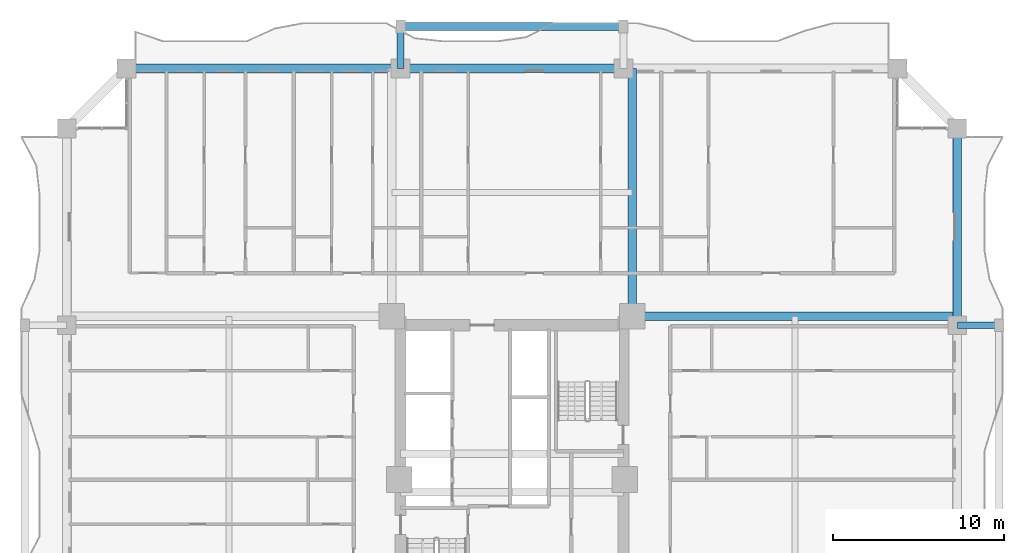
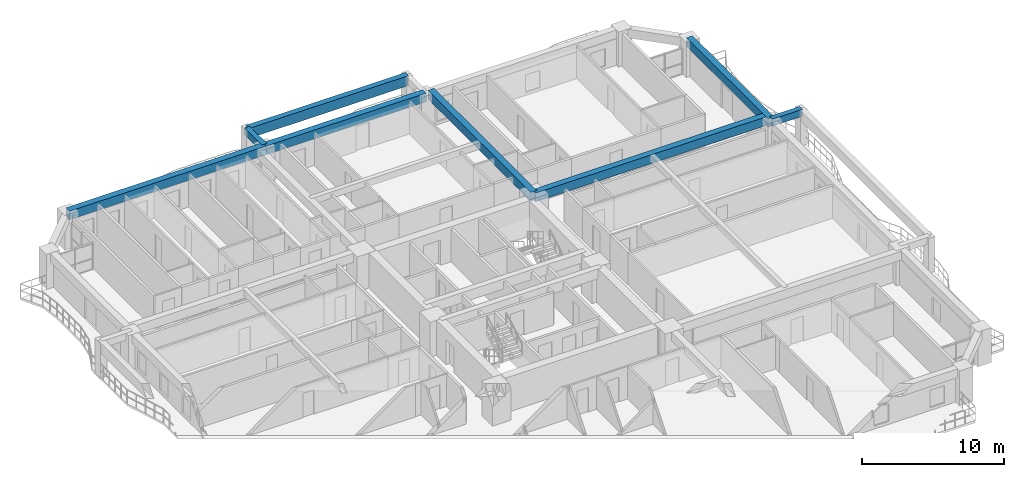
# One storey, part 9 of 27: 8 beams.
"""IFC4 building model written with IfcOpenShell, lengths in metres."""

from ifc_helpers import new_model, si_unit, direction, frame, origin, origin_2d, place, context, subcontext, project, spatial, rectangle, extrude, source, transform, mapped, material, material_profile, profile_set, type_object, element, save


model = new_model("IFC4")

# Units and contexts
model_context = context("Model", 3, precision=1e-05, world=origin(), true_north=direction((0.0, 1.0)))
body_context = subcontext(model_context, "Body", "Model", "MODEL_VIEW")
ifc_project = project(units=[si_unit("LENGTHUNIT", "METRE"), si_unit("AREAUNIT", "SQUARE_METRE"), si_unit("VOLUMEUNIT", "CUBIC_METRE"), si_unit("PLANEANGLEUNIT", "RADIAN"), si_unit("MASSUNIT", "GRAM", prefix="KILO")], contexts=[model_context])

# Site, building, storey
site_placement = place(None, origin())
site = spatial("IfcSite", under=ifc_project, at=site_placement, CompositionType="ELEMENT")
building_placement = place(site_placement, origin())
building = spatial("IfcBuilding", under=site, at=building_placement, Name="Saelheon Loggia Tower", CompositionType="ELEMENT")
storey_placement = place(building_placement, frame((0.0, 0.0, 52.39990234375)))
storey = spatial("IfcBuildingStorey", under=building, at=storey_placement, Name="L16", CompositionType="ELEMENT", Elevation=52.39990234375)

# Beams
ifc_material_1 = material(Name="Precast Concrete C45/55", Category="concrete")
ifc_material_profile_1 = material_profile(ifc_material_1, rectangle(XDim=0.449951171875, YDim=0.85009765625, at=origin_2d()), Name="RC-450x850")
ifc_profile_set_1 = profile_set([ifc_material_profile_1], Name="Precast Concrete C45/55")
beam_type_1 = type_object("IfcBeamType", Name="Beam_LoggiaSpandrel_RC450x850", PredefinedType="SPANDREL", material=ifc_profile_set_1)
shared_shape_1 = source(origin(), body_context, "Body", "SweptSolid", [
    extrude(rectangle(XDim=0.449951171875, YDim=0.85009765625, at=origin_2d()), origin(), (0.0, 0.0, 1.0), 13.0),
])
beam_1_placement = place(storey_placement, frame((31.5, 53.449951171875, 2.5751953125), z_axis=(1.0, 0.0, 0.0), x_axis=(0.0, 1.0, 0.0)))
element("IfcBeam", 1, at=beam_1_placement, inside=storey, type_object=beam_type_1, Name="L16 Loggia Spandrel Beam N", PredefinedType="SPANDREL", context=body_context, shape_type="MappedRepresentation", body=[
    mapped(shared_shape_1, transform((0.0, 0.0, 0.0), scale=1.0)),
])
ifc_material_2 = material(Name="Concrete C45/55", Category="concrete")
ifc_material_profile_2 = material_profile(ifc_material_2, rectangle(XDim=0.5, YDim=0.75, at=origin_2d()), Name="RC-500x750")
ifc_profile_set_2 = profile_set([ifc_material_profile_2], Name="Concrete C45/55")
beam_type_2 = type_object("IfcBeamType", Name="Beam_FloorGirder_RC500x750", PredefinedType="BEAM", material=ifc_profile_set_2)
shared_shape_2 = source(origin(), body_context, "Body", "SweptSolid", [
    extrude(rectangle(XDim=0.5, YDim=0.75, at=origin_2d()), origin(), (0.0, 0.0, 1.0), 14.47998046875),
])
beam_2_placement = place(storey_placement, frame((45.02001953125, 36.52001953125, 2.625), z_axis=(0.0, 1.0, 0.0), x_axis=(-1.0, 0.0, 0.0)))
element("IfcBeam", 2, at=beam_2_placement, inside=storey, type_object=beam_type_2, Name="L16 Radial Floor Girder RAD-NE-N", PredefinedType="BEAM", context=body_context, shape_type="MappedRepresentation", body=[
    mapped(shared_shape_2, transform((0.0, 0.0, 0.0), scale=1.0)),
])
ifc_material_profile_3 = material_profile(ifc_material_2, rectangle(XDim=0.5, YDim=0.75, at=origin_2d()), Name="RC-500x750")
ifc_profile_set_3 = profile_set([ifc_material_profile_3], Name="Concrete C45/55")
beam_type_3 = type_object("IfcBeamType", Name="Beam_PerimGirder_RC500x750", PredefinedType="BEAM", material=ifc_profile_set_3)
shared_shape_3 = source(origin(), body_context, "Body", "SweptSolid", [
    extrude(rectangle(XDim=0.5, YDim=0.75, at=origin_2d()), origin(), (0.0, 0.0, 1.0), 16.0),
])
beam_3_placement = place(storey_placement, frame((31.5, 51.0, 2.625), z_axis=(-1.0, 0.0, 0.0), x_axis=(0.0, -1.0, 0.0)))
element("IfcBeam", 3, at=beam_3_placement, inside=storey, type_object=beam_type_3, Name="L16 Perimeter Frame Girder 11", PredefinedType="BEAM", context=body_context, shape_type="MappedRepresentation", body=[
    mapped(shared_shape_3, transform((0.0, 0.0, 0.0), scale=1.0)),
])
shared_shape_4 = source(origin(), body_context, "Body", "SweptSolid", [
    extrude(rectangle(XDim=0.5, YDim=0.75, at=origin_2d()), origin(), (0.0, 0.0, 1.0), 13.0),
])
beam_4_placement = place(storey_placement, frame((44.5, 51.0, 2.625), z_axis=(-1.0, 0.0, 0.0), x_axis=(0.0, -1.0, 0.0)))
element("IfcBeam", 4, at=beam_4_placement, inside=storey, type_object=beam_type_3, Name="L16 Perimeter Frame Girder 10", PredefinedType="BEAM", context=body_context, shape_type="MappedRepresentation", body=[
    mapped(shared_shape_4, transform((0.0, 0.0, 0.0), scale=1.0)),
])
shared_shape_5 = source(origin(), body_context, "Body", "SweptSolid", [
    extrude(rectangle(XDim=0.5, YDim=0.75, at=origin_2d()), origin(), (0.0, 0.0, 1.0), 11.5),
])
beam_5_placement = place(storey_placement, frame((64.0, 36.0, 2.625), z_axis=(0.0, 1.0, 0.0), x_axis=(-1.0, 0.0, 0.0)))
element("IfcBeam", 5, at=beam_5_placement, inside=storey, type_object=beam_type_3, Name="L16 Perimeter Frame Girder 07", PredefinedType="BEAM", context=body_context, shape_type="MappedRepresentation", body=[
    mapped(shared_shape_5, transform((0.0, 0.0, 0.0), scale=1.0)),
])
shared_shape_6 = source(origin(), body_context, "Body", "SweptSolid", [
    extrude(rectangle(XDim=0.5, YDim=0.75, at=origin_2d()), origin(), (0.0, 0.0, 1.0), 18.97998046875),
])
beam_6_placement = place(storey_placement, frame((45.02001953125, 36.52001953125, 2.625), z_axis=(1.0, 0.0, 0.0), x_axis=(0.0, 1.0, 0.0)))
element("IfcBeam", 6, at=beam_6_placement, inside=storey, type_object=beam_type_2, Name="L16 Radial Floor Girder RAD-NE-E", PredefinedType="BEAM", context=body_context, shape_type="MappedRepresentation", body=[
    mapped(shared_shape_6, transform((0.0, 0.0, 0.0), scale=1.0)),
])
ifc_material_profile_4 = material_profile(ifc_material_1, rectangle(XDim=0.39990234375, YDim=0.60009765625, at=origin_2d()), Name="RC-400x600")
ifc_profile_set_4 = profile_set([ifc_material_profile_4], Name="Precast Concrete C45/55")
beam_type_4 = type_object("IfcBeamType", Name="Beam_LoggiaTie_RC400x600", PredefinedType="BEAM", material=ifc_profile_set_4)
shared_shape_7 = source(origin(), body_context, "Body", "SweptSolid", [
    extrude(rectangle(XDim=0.39990234375, YDim=0.60009765625, at=origin_2d()), origin(), (0.0, 0.0, 1.0), 2.449951171875),
])
for number, where, z_axis, x_axis, name in (
    (7, (31.5, 51.0, 2.7001953125), (0.0, 1.0, 0.0), (-1.0, 0.0, 0.0), "L16 Loggia Frame Tie Beam LP-N1"),
    (8, (64.0, 36.0, 2.7001953125), (1.0, 0.0, 0.0), (0.0, 1.0, 0.0), "L16 Loggia Frame Tie Beam LP-E2"),
):
    element("IfcBeam", number, at=place(storey_placement, frame(where, z_axis=z_axis, x_axis=x_axis)), inside=storey, type_object=beam_type_4, Name=name, PredefinedType="BEAM", context=body_context, shape_type="MappedRepresentation", body=[
        mapped(shared_shape_7, transform((0.0, 0.0, 0.0), scale=1.0)),
    ])

save(model, "model.ifc")
